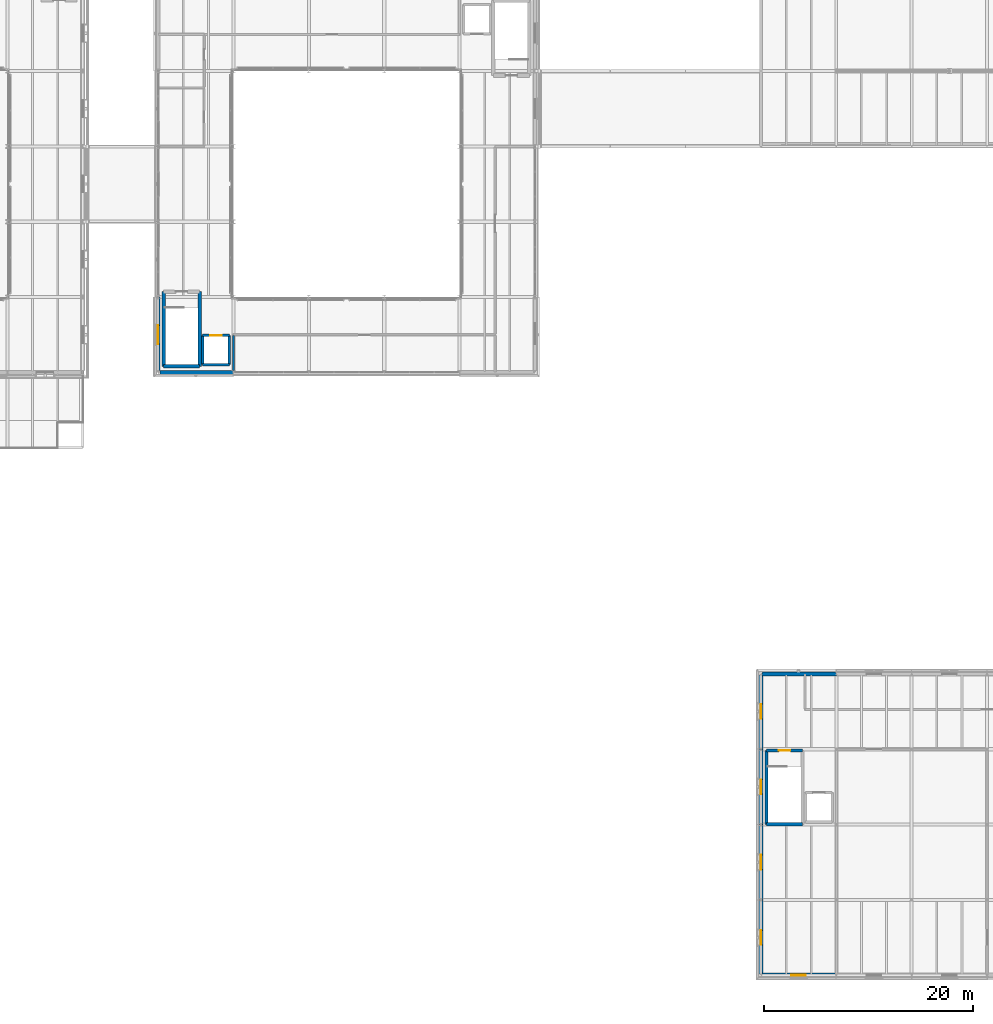
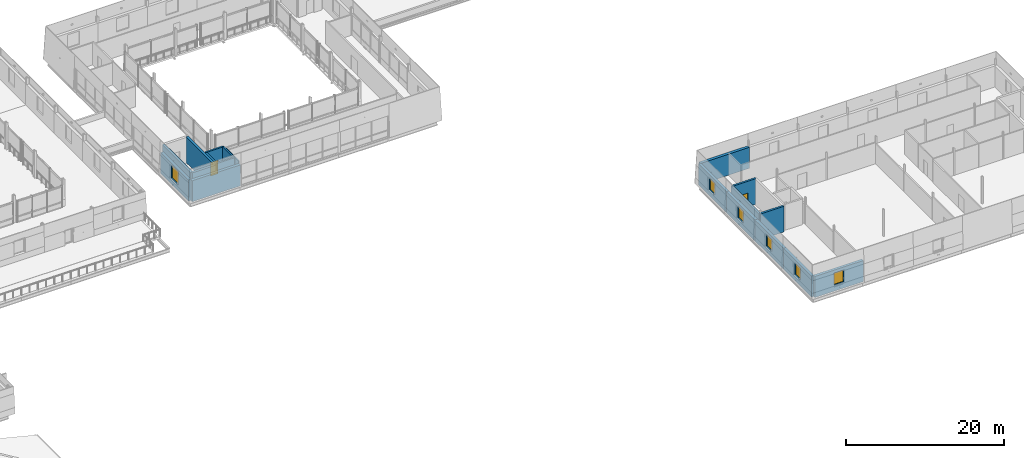
# One storey, part 58 of 91: 19 walls, 6 windows, 2 doors, 8 openings.
"""IFC4 building model written with IfcOpenShell, lengths in metres."""

from ifc_helpers import new_model, si_unit, direction, frame, frame_2d, origin, place, context, subcontext, project, spatial, rectangle, extrude, material, layer, layer_set, type_object, element, fill, save


model = new_model("IFC4")

# Units and contexts
model_context = context("Model", 3, precision=1e-05, world=origin(), true_north=direction((0.0, 1.0)))
body_context = subcontext(model_context, "Body", "Model", "MODEL_VIEW")
ifc_project = project(units=[si_unit("LENGTHUNIT", "METRE"), si_unit("AREAUNIT", "SQUARE_METRE"), si_unit("VOLUMEUNIT", "CUBIC_METRE"), si_unit("PLANEANGLEUNIT", "RADIAN"), si_unit("MASSUNIT", "GRAM", prefix="KILO")], contexts=[model_context])

# Site, building, storey
site_placement = place(None, origin())
site = spatial("IfcSite", under=ifc_project, at=site_placement, CompositionType="ELEMENT")
building_placement = place(site_placement, origin())
building = spatial("IfcBuilding", under=site, at=building_placement, Name="Narikvali Park Central Library", CompositionType="ELEMENT")
storey_placement = place(building_placement, frame((0.0, 0.0, 14.39990234375)))
storey = spatial("IfcBuildingStorey", under=building, at=storey_placement, Name="L03", CompositionType="ELEMENT", Elevation=14.39990234375)

# Walls
ifc_material_1 = material(Name="Concrete C40/50", Category="concrete")
ifc_layer_1 = layer(ifc_material_1, 0.35009765625, Name="Concrete C40/50")
ifc_layer_set_1 = layer_set([ifc_layer_1], Name="Concrete C40/50")
wall_type_1 = type_object("IfcWallType", Name="Reinforced Concrete Core Shear Wall 350", PredefinedType="SHEAR", material=ifc_layer_set_1)
wall_1_placement = place(storey_placement, frame((65.330078125, 58.179931640625, 0.0), z_axis=(0.0, 0.0, 1.0), x_axis=(1.0, 0.0, 0.0)))
element("IfcWall", 1, at=wall_1_placement, inside=storey, type_object=wall_type_1, Name="C1A L03 Stair Core Shear Wall S", PredefinedType="SHEAR", context=body_context, shape_type="SweptSolid", body=[
    extrude(rectangle(XDim=3.43994140625, YDim=0.35009765625, at=frame_2d((1.719970703125, 0.0))), origin(), (0.0, 0.0, 1.0), 3.960205078125),
])
for number, where, z_axis, x_axis, name in (
    (2, (68.77001953125, 58.179931640625, 0.0), (0.0, 0.0, 1.0), (0.0, 1.0, 0.0), "C1A L03 Stair Core Shear Wall E"),
    (3, (65.330078125, 65.320068359375, 0.0), (0.0, 0.0, 1.0), (0.0, -1.0, 0.0), "C1A L03 Stair Core Shear Wall W"),
):
    element("IfcWall", number, at=place(storey_placement, frame(where, z_axis=z_axis, x_axis=x_axis)), inside=storey, type_object=wall_type_1, Name=name, PredefinedType="SHEAR", context=body_context, shape_type="SweptSolid", body=[
        extrude(rectangle(XDim=7.14013671875, YDim=0.35009765625, at=frame_2d((3.570068359375, 0.0))), origin(), (0.0, 0.0, 1.0), 3.960205078125),
    ])
ifc_layer_2 = layer(ifc_material_1, 0.25, Name="Concrete C40/50")
ifc_layer_set_2 = layer_set([ifc_layer_2], Name="Concrete C40/50")
wall_type_2 = type_object("IfcWallType", Name="Reinforced Concrete Lift Shaft Wall 250", PredefinedType="SHEAR", material=ifc_layer_set_2)
wall_2_placement = place(storey_placement, frame((69.050048828125, 58.35009765625, 0.0), z_axis=(0.0, 0.0, 1.0), x_axis=(1.0, 0.0, 0.0)))
element("IfcWall", 4, at=wall_2_placement, inside=storey, type_object=wall_type_2, Name="L-01 L03 Lift Shaft Wall S", PredefinedType="SHEAR", context=body_context, shape_type="SweptSolid", body=[
    extrude(rectangle(XDim=2.550048828125, YDim=0.25, at=frame_2d((1.27490234375, 0.0))), origin(), (0.0, 0.0, 1.0), 3.960205078125),
])
wall_3_placement = place(storey_placement, frame((71.60009765625, 58.35009765625, 0.0), z_axis=(0.0, 0.0, 1.0), x_axis=(0.0, 1.0, 0.0)))
element("IfcWall", 5, at=wall_3_placement, inside=storey, type_object=wall_type_2, Name="L-01 L03 Lift Shaft Wall E", PredefinedType="SHEAR", context=body_context, shape_type="SweptSolid", body=[
    extrude(rectangle(XDim=2.7998046875, YDim=0.25, at=frame_2d((1.39990234375, 0.0))), origin(), (0.0, 0.0, 1.0), 3.960205078125),
])

# Wall, opening, door
wall_4_placement = place(storey_placement, frame((71.60009765625, 61.14990234375, 0.0), z_axis=(0.0, 0.0, 1.0), x_axis=(-1.0, 0.0, 0.0)))
wall_4 = element("IfcWall", 6, at=wall_4_placement, inside=storey, type_object=wall_type_2, Name="L-01 L03 Lift Shaft Wall N", PredefinedType="SHEAR", context=body_context, shape_type="SweptSolid", body=[
    extrude(rectangle(XDim=2.550048828125, YDim=0.25, at=frame_2d((1.27490234375, 0.0))), origin(), (0.0, 0.0, 1.0), 3.960205078125),
])
opening_1_placement = place(wall_4_placement, frame((0.72509765625, 0.0, 0.0)))
opening_1 = element("IfcOpeningElement", 7, at=opening_1_placement, cuts=wall_4, Name="Opening LD-005", PredefinedType="OPENING", context=body_context, shape_type="SweptSolid", body=[
    extrude(rectangle(XDim=1.10009765625, YDim=2.10009765625, at=frame_2d((0.550048828125, 1.050048828125))), frame((0.0, 0.136962890625, 0.0), z_axis=(0.0, -1.0, 0.0), x_axis=(1.0, 0.0, 0.0)), (0.0, 0.0, 1.0), 0.27392578125),
])
ifc_material_2 = material(Name="Brushed Stainless Steel S355", Category="steel")
door_type_1 = type_object("IfcDoorType", Name="Passenger Lift Sliding Landing Door 1100x2100", OperationType="SLIDING_TO_LEFT", PredefinedType="DOOR", material=ifc_material_2)
door_1_placement = place(opening_1_placement, origin())
door_1 = element("IfcDoor", 8, at=door_1_placement, inside=storey, type_object=door_type_1, Name="L-01 L03 Lift Landing Sliding Door LD-005", OperationType="SLIDING_TO_LEFT", OverallHeight=2.10009765625, OverallWidth=1.10009765625, PredefinedType="DOOR", context=body_context, shape_type="SweptSolid", body=[
    extrude(rectangle(XDim=1.10009765625, YDim=2.10009765625, at=frame_2d((0.550048828125, 1.050048828125))), frame((0.0, 0.02490234375, 0.0), z_axis=(0.0, -1.0, 0.0), x_axis=(1.0, 0.0, 0.0)), (0.0, 0.0, 1.0), 0.050048828125),
])
fill(opening_1, door_1)

# Walls
wall_5_placement = place(storey_placement, frame((69.050048828125, 61.14990234375, 0.0), z_axis=(0.0, 0.0, 1.0), x_axis=(0.0, -1.0, 0.0)))
element("IfcWall", 9, at=wall_5_placement, inside=storey, type_object=wall_type_2, Name="L-01 L03 Lift Shaft Wall W", PredefinedType="SHEAR", context=body_context, shape_type="SweptSolid", body=[
    extrude(rectangle(XDim=2.7998046875, YDim=0.25, at=frame_2d((1.39990234375, 0.0))), origin(), (0.0, 0.0, 1.0), 3.960205078125),
])
ifc_layer_3 = layer(ifc_material_1, 0.300048828125, Name="Concrete C40/50")
ifc_layer_set_3 = layer_set([ifc_layer_3], Name="Concrete C40/50")
wall_type_3 = type_object("IfcWallType", Name="Reinforced Concrete Shear Wall 300", PredefinedType="SHEAR", material=ifc_layer_set_3)
wall_6_placement = place(storey_placement, frame((122.929931640625, 14.429931640625, 0.0), z_axis=(0.0, 0.0, 1.0), x_axis=(1.0, 0.0, 0.0)))
element("IfcWall", 10, at=wall_6_placement, inside=storey, type_object=wall_type_3, Name="C6A L03 Stair Core Shear Wall S", PredefinedType="SHEAR", context=body_context, shape_type="SweptSolid", body=[
    extrude(rectangle(XDim=3.440185546875, YDim=0.300048828125, at=frame_2d((1.72021484375, 0.0))), origin(), (0.0, 0.0, 1.0), 3.960205078125),
])

# Wall, opening, door
wall_7_placement = place(storey_placement, frame((126.3701171875, 21.469970703125, 0.0), z_axis=(0.0, 0.0, 1.0), x_axis=(-1.0, 0.0, 0.0)))
wall_7 = element("IfcWall", 11, at=wall_7_placement, inside=storey, type_object=wall_type_3, Name="C6A L03 Stair Core Shear Wall N", PredefinedType="SHEAR", context=body_context, shape_type="SweptSolid", body=[
    extrude(rectangle(XDim=3.440185546875, YDim=0.300048828125, at=frame_2d((1.72021484375, 0.0))), origin(), (0.0, 0.0, 1.0), 3.960205078125),
])
opening_2_placement = place(wall_7_placement, frame((1.169921875, 0.0, 0.0)))
opening_2 = element("IfcOpeningElement", 12, at=opening_2_placement, cuts=wall_7, Name="Opening SD-061", PredefinedType="OPENING", context=body_context, shape_type="SweptSolid", body=[
    extrude(rectangle(XDim=1.10009765625, YDim=2.14990234375, at=frame_2d((0.550048828125, 1.074951171875))), frame((0.0, 0.162109375, 0.0), z_axis=(0.0, -1.0, 0.0), x_axis=(1.0, 0.0, 0.0)), (0.0, 0.0, 1.0), 0.323974609375),
])
ifc_material_3 = material(Name="Powder-Coated Steel S275 Fire Leaf", Category="steel")
door_type_2 = type_object("IfcDoorType", Name="Stair Core Smoke-Control Fire Door 1100x2150", OperationType="SINGLE_SWING_LEFT", PredefinedType="DOOR", material=ifc_material_3)
door_2_placement = place(opening_2_placement, frame((1.10009765625, 0.0, 0.0), z_axis=(0.0, 0.0, 1.0), x_axis=(-1.0, 0.0, 0.0)))
door_2 = element("IfcDoor", 13, at=door_2_placement, inside=storey, type_object=door_type_2, Name="ST-11 L03 Stair Exit Door SD-061", OperationType="SINGLE_SWING_LEFT", OverallHeight=2.14990234375, OverallWidth=1.10009765625, PredefinedType="DOOR", context=body_context, shape_type="SweptSolid", body=[
    extrude(rectangle(XDim=1.10009765625, YDim=2.14990234375, at=frame_2d((0.550048828125, 1.074951171875))), frame((0.0, 0.02490234375, 0.0), z_axis=(0.0, -1.0, 0.0), x_axis=(1.0, 0.0, 0.0)), (0.0, 0.0, 1.0), 0.050048828125),
])
fill(opening_2, door_2)

# Walls
wall_8_placement = place(storey_placement, frame((122.929931640625, 21.469970703125, 0.0), z_axis=(0.0, 0.0, 1.0), x_axis=(0.0, -1.0, 0.0)))
element("IfcWall", 14, at=wall_8_placement, inside=storey, type_object=wall_type_3, Name="C6A L03 Stair Core Shear Wall W", PredefinedType="SHEAR", context=body_context, shape_type="SweptSolid", body=[
    extrude(rectangle(XDim=7.0400390625, YDim=0.300048828125, at=frame_2d((3.52001953125, 0.0))), origin(), (0.0, 0.0, 1.0), 3.960205078125),
])
ifc_material_4 = material(Name="Gypsum Board on Galvanised Steel Studs", Category="steel")
ifc_layer_4 = layer(ifc_material_4, 0.159912109375, Name="Gypsum Board on Galvanised Steel Studs")
ifc_layer_set_4 = layer_set([ifc_layer_4], Name="Gypsum Board on Galvanised Steel Studs")
wall_type_4 = type_object("IfcWallType", Name="Study Room Partition Wall 160", PredefinedType="PARTITIONING", material=ifc_layer_set_4)
wall_9_placement = place(storey_placement, frame((72.0, 57.783935546875, 0.0), z_axis=(0.0, 0.0, 1.0), x_axis=(0.0, 1.0, 0.0)))
element("IfcWall", 15, at=wall_9_placement, inside=storey, type_object=wall_type_4, Name="Drum Clerestory South Scholar Carrels Partition W", PredefinedType="PARTITIONING", context=body_context, shape_type="SweptSolid", body=[
    extrude(rectangle(XDim=3.333984375, YDim=0.159912109375, at=frame_2d((1.6669921875, 0.0))), origin(), (0.0, 0.0, 1.0), 3.59521484375),
])
ifc_material_5 = material(Name="White Honed Limestone over Concrete C35/45", Category="masonry")
ifc_layer_5 = layer(ifc_material_5, 0.39990234375, Name="White Honed Limestone over Concrete C35/45")
ifc_layer_set_5 = layer_set([ifc_layer_5], Name="White Honed Limestone over Concrete C35/45")
wall_type_5 = type_object("IfcWallType", Name="White Limestone Battered Tier3 Wall 400", PredefinedType="SOLIDWALL", material=ifc_layer_set_5)
wall_10_placement = place(storey_placement, frame((64.9541015625, 57.60009765625, 0.0), z_axis=(0.0, 0.0, 1.0), x_axis=(1.0, 0.0, 0.0)))
element("IfcWall", 16, at=wall_10_placement, inside=storey, type_object=wall_type_5, Name="V1 L03 S Exterior Limestone Wall B01", PredefinedType="SOLIDWALL", context=body_context, shape_type="SweptSolid", body=[
    extrude(rectangle(XDim=7.0458984375, YDim=0.39990234375, at=frame_2d((3.52294921875, 0.0))), origin(), (0.0, 0.0, 1.0), 3.239990234375),
])

# Wall, opening, window
wall_11_placement = place(storey_placement, frame((64.800048828125, 64.800048828125, 0.0), z_axis=(0.0, 0.0, 1.0), x_axis=(0.0, -1.0, 0.0)))
wall_11 = element("IfcWall", 17, at=wall_11_placement, inside=storey, type_object=wall_type_5, Name="V1 L03 W Exterior Limestone Wall B05", PredefinedType="SOLIDWALL", context=body_context, shape_type="SweptSolid", body=[
    extrude(rectangle(XDim=7.01611328125, YDim=0.39990234375, at=frame_2d((3.508056640625, 0.0))), origin(), (0.0, 0.0, 1.0), 3.239990234375),
])
opening_3_placement = place(wall_11_placement, frame((2.699951171875, 0.0, 0.949951171875)))
opening_3 = element("IfcOpeningElement", 18, at=opening_3_placement, cuts=wall_11, Name="Opening WIN-0043", PredefinedType="OPENING", context=body_context, shape_type="SweptSolid", body=[
    extrude(rectangle(XDim=1.800048828125, YDim=2.050048828125, at=frame_2d((0.89990234375, 1.02490234375))), frame((0.0, 0.2119140625, 0.0), z_axis=(0.0, -1.0, 0.0), x_axis=(1.0, 0.0, 0.0)), (0.0, 0.0, 1.0), 0.423828125),
])
ifc_material_6 = material(Name="Anodised Bronze Aluminium and Low-E Triple Glazing", Category="aluminium")
window_type_1 = type_object("IfcWindowType", Name="Rotunda Mezzanine Deep-Set Window 1800x2050", PartitioningType="DOUBLE_PANEL_VERTICAL", PredefinedType="WINDOW", material=ifc_material_6)
window_1_placement = place(opening_3_placement, origin())
window_1 = element("IfcWindow", 19, at=window_1_placement, inside=storey, type_object=window_type_1, Name="V1 L03 W Deep-Reveal Window WIN-0043", OverallHeight=2.050048828125, OverallWidth=1.800048828125, PartitioningType="SINGLE_PANEL", PredefinedType="WINDOW", context=body_context, shape_type="SweptSolid", body=[
    extrude(rectangle(XDim=1.800048828125, YDim=2.050048828125, at=frame_2d((0.89990234375, 1.02490234375))), frame((0.0, 0.030029296875, 0.0), z_axis=(0.0, -1.0, 0.0), x_axis=(1.0, 0.0, 0.0)), (0.0, 0.0, 1.0), 0.06005859375),
])
fill(opening_3, window_1)

wall_12_placement = place(storey_placement, frame((122.50390625, 0.0, 0.0), z_axis=(0.0, 0.0, 1.0), x_axis=(1.0, 0.0, 0.0)))
wall_12 = element("IfcWall", 20, at=wall_12_placement, inside=storey, type_object=wall_type_5, Name="V6 L03 S Exterior Limestone Wall B01", PredefinedType="SOLIDWALL", context=body_context, shape_type="SweptSolid", body=[
    extrude(rectangle(XDim=7.09619140625, YDim=0.39990234375, at=frame_2d((3.548095703125, 0.0))), origin(), (0.0, 0.0, 1.0), 3.239990234375),
])
opening_4_placement = place(wall_12_placement, frame((2.7958984375, 0.0, 0.949951171875)))
opening_4 = element("IfcOpeningElement", 21, at=opening_4_placement, cuts=wall_12, Name="Opening WIN-0400", PredefinedType="OPENING", context=body_context, shape_type="SweptSolid", body=[
    extrude(rectangle(XDim=1.39990234375, YDim=1.85009765625, at=frame_2d((0.699951171875, 0.925048828125))), frame((0.0, 0.2119140625, 0.0), z_axis=(0.0, -1.0, 0.0), x_axis=(1.0, 0.0, 0.0)), (0.0, 0.0, 1.0), 0.423828125),
])
window_type_2 = type_object("IfcWindowType", Name="Service & Administration Casement Window 1400x1850", PartitioningType="DOUBLE_PANEL_VERTICAL", PredefinedType="WINDOW", material=ifc_material_6)
window_2_placement = place(opening_4_placement, origin())
window_2 = element("IfcWindow", 22, at=window_2_placement, inside=storey, type_object=window_type_2, Name="V6 L03 S Deep-Reveal Window WIN-0400", OverallHeight=1.85009765625, OverallWidth=1.39990234375, PartitioningType="SINGLE_PANEL", PredefinedType="WINDOW", context=body_context, shape_type="SweptSolid", body=[
    extrude(rectangle(XDim=1.39990234375, YDim=1.85009765625, at=frame_2d((0.699951171875, 0.925048828125))), frame((0.0, 0.030029296875, 0.0), z_axis=(0.0, -1.0, 0.0), x_axis=(1.0, 0.0, 0.0)), (0.0, 0.0, 1.0), 0.06005859375),
])
fill(opening_4, window_2)

# Wall
wall_13_placement = place(storey_placement, frame((129.60009765625, 28.800048828125, 0.0), z_axis=(0.0, 0.0, 1.0), x_axis=(-1.0, 0.0, 0.0)))
element("IfcWall", 23, at=wall_13_placement, inside=storey, type_object=wall_type_5, Name="V6 L03 N Exterior Limestone Wall B06", PredefinedType="SOLIDWALL", context=body_context, shape_type="SweptSolid", body=[
    extrude(rectangle(XDim=7.09619140625, YDim=0.39990234375, at=frame_2d((3.548095703125, 0.0))), origin(), (0.0, 0.0, 1.0), 3.239990234375),
])

# Wall, opening, window
wall_14_placement = place(storey_placement, frame((122.39990234375, 28.696044921875, 0.0), z_axis=(0.0, 0.0, 1.0), x_axis=(0.0, -1.0, 0.0)))
wall_14 = element("IfcWall", 24, at=wall_14_placement, inside=storey, type_object=wall_type_5, Name="V6 L03 W Exterior Limestone Wall B01", PredefinedType="SOLIDWALL", context=body_context, shape_type="SweptSolid", body=[
    extrude(rectangle(XDim=7.095947265625, YDim=0.39990234375, at=frame_2d((3.5478515625, 0.0))), origin(), (0.0, 0.0, 1.0), 3.239990234375),
])
opening_5_placement = place(wall_14_placement, frame((2.7958984375, 0.0, 0.949951171875)))
opening_5 = element("IfcOpeningElement", 25, at=opening_5_placement, cuts=wall_14, Name="Opening WIN-0411", PredefinedType="OPENING", context=body_context, shape_type="SweptSolid", body=[
    extrude(rectangle(XDim=1.39990234375, YDim=1.85009765625, at=frame_2d((0.699951171875, 0.925048828125))), frame((0.0, 0.2119140625, 0.0), z_axis=(0.0, -1.0, 0.0), x_axis=(1.0, 0.0, 0.0)), (0.0, 0.0, 1.0), 0.423828125),
])
window_3_placement = place(opening_5_placement, origin())
window_3 = element("IfcWindow", 26, at=window_3_placement, inside=storey, type_object=window_type_2, Name="V6 L03 W Deep-Reveal Window WIN-0411", OverallHeight=1.85009765625, OverallWidth=1.39990234375, PartitioningType="SINGLE_PANEL", PredefinedType="WINDOW", context=body_context, shape_type="SweptSolid", body=[
    extrude(rectangle(XDim=1.39990234375, YDim=1.85009765625, at=frame_2d((0.699951171875, 0.925048828125))), frame((0.0, 0.030029296875, 0.0), z_axis=(0.0, -1.0, 0.0), x_axis=(1.0, 0.0, 0.0)), (0.0, 0.0, 1.0), 0.06005859375),
])
fill(opening_5, window_3)

wall_15_placement = place(storey_placement, frame((122.39990234375, 21.60009765625, 0.0), z_axis=(0.0, 0.0, 1.0), x_axis=(0.0, -1.0, 0.0)))
wall_15 = element("IfcWall", 27, at=wall_15_placement, inside=storey, type_object=wall_type_5, Name="V6 L03 W Exterior Limestone Wall B02", PredefinedType="SOLIDWALL", context=body_context, shape_type="SweptSolid", body=[
    extrude(rectangle(XDim=7.2001953125, YDim=0.39990234375, at=frame_2d((3.60009765625, 0.0))), origin(), (0.0, 0.0, 1.0), 3.239990234375),
])
opening_6_placement = place(wall_15_placement, frame((2.89990234375, 0.0, 0.949951171875)))
opening_6 = element("IfcOpeningElement", 28, at=opening_6_placement, cuts=wall_15, Name="Opening WIN-0412", PredefinedType="OPENING", context=body_context, shape_type="SweptSolid", body=[
    extrude(rectangle(XDim=1.39990234375, YDim=1.85009765625, at=frame_2d((0.699951171875, 0.925048828125))), frame((0.0, 0.2119140625, 0.0), z_axis=(0.0, -1.0, 0.0), x_axis=(1.0, 0.0, 0.0)), (0.0, 0.0, 1.0), 0.423828125),
])
window_4_placement = place(opening_6_placement, origin())
window_4 = element("IfcWindow", 29, at=window_4_placement, inside=storey, type_object=window_type_2, Name="V6 L03 W Deep-Reveal Window WIN-0412", OverallHeight=1.85009765625, OverallWidth=1.39990234375, PartitioningType="SINGLE_PANEL", PredefinedType="WINDOW", context=body_context, shape_type="SweptSolid", body=[
    extrude(rectangle(XDim=1.39990234375, YDim=1.85009765625, at=frame_2d((0.699951171875, 0.925048828125))), frame((0.0, 0.030029296875, 0.0), z_axis=(0.0, -1.0, 0.0), x_axis=(1.0, 0.0, 0.0)), (0.0, 0.0, 1.0), 0.06005859375),
])
fill(opening_6, window_4)

wall_16_placement = place(storey_placement, frame((122.39990234375, 14.39990234375, 0.0), z_axis=(0.0, 0.0, 1.0), x_axis=(0.0, -1.0, 0.0)))
wall_16 = element("IfcWall", 30, at=wall_16_placement, inside=storey, type_object=wall_type_5, Name="V6 L03 W Exterior Limestone Wall B03", PredefinedType="SOLIDWALL", context=body_context, shape_type="SweptSolid", body=[
    extrude(rectangle(XDim=7.199951171875, YDim=0.39990234375, at=frame_2d((3.60009765625, 0.0))), origin(), (0.0, 0.0, 1.0), 3.239990234375),
])
opening_7_placement = place(wall_16_placement, frame((2.89990234375, 0.0, 0.949951171875)))
opening_7 = element("IfcOpeningElement", 31, at=opening_7_placement, cuts=wall_16, Name="Opening WIN-0413", PredefinedType="OPENING", context=body_context, shape_type="SweptSolid", body=[
    extrude(rectangle(XDim=1.39990234375, YDim=1.85009765625, at=frame_2d((0.699951171875, 0.925048828125))), frame((0.0, 0.2119140625, 0.0), z_axis=(0.0, -1.0, 0.0), x_axis=(1.0, 0.0, 0.0)), (0.0, 0.0, 1.0), 0.423828125),
])
window_5_placement = place(opening_7_placement, origin())
window_5 = element("IfcWindow", 32, at=window_5_placement, inside=storey, type_object=window_type_2, Name="V6 L03 W Deep-Reveal Window WIN-0413", OverallHeight=1.85009765625, OverallWidth=1.39990234375, PartitioningType="SINGLE_PANEL", PredefinedType="WINDOW", context=body_context, shape_type="SweptSolid", body=[
    extrude(rectangle(XDim=1.39990234375, YDim=1.85009765625, at=frame_2d((0.699951171875, 0.925048828125))), frame((0.0, 0.030029296875, 0.0), z_axis=(0.0, -1.0, 0.0), x_axis=(1.0, 0.0, 0.0)), (0.0, 0.0, 1.0), 0.06005859375),
])
fill(opening_7, window_5)

wall_17_placement = place(storey_placement, frame((122.39990234375, 7.199951171875, 0.0), z_axis=(0.0, 0.0, 1.0), x_axis=(0.0, -1.0, 0.0)))
wall_17 = element("IfcWall", 33, at=wall_17_placement, inside=storey, type_object=wall_type_5, Name="V6 L03 W Exterior Limestone Wall B04", PredefinedType="SOLIDWALL", context=body_context, shape_type="SweptSolid", body=[
    extrude(rectangle(XDim=7.095947265625, YDim=0.39990234375, at=frame_2d((3.5478515625, 0.0))), origin(), (0.0, 0.0, 1.0), 3.239990234375),
])
opening_8_placement = place(wall_17_placement, frame((2.89990234375, 0.0, 0.949951171875)))
opening_8 = element("IfcOpeningElement", 34, at=opening_8_placement, cuts=wall_17, Name="Opening WIN-0414", PredefinedType="OPENING", context=body_context, shape_type="SweptSolid", body=[
    extrude(rectangle(XDim=1.39990234375, YDim=1.85009765625, at=frame_2d((0.699951171875, 0.925048828125))), frame((0.0, 0.2119140625, 0.0), z_axis=(0.0, -1.0, 0.0), x_axis=(1.0, 0.0, 0.0)), (0.0, 0.0, 1.0), 0.423828125),
])
window_6_placement = place(opening_8_placement, origin())
window_6 = element("IfcWindow", 35, at=window_6_placement, inside=storey, type_object=window_type_2, Name="V6 L03 W Deep-Reveal Window WIN-0414", OverallHeight=1.85009765625, OverallWidth=1.39990234375, PartitioningType="SINGLE_PANEL", PredefinedType="WINDOW", context=body_context, shape_type="SweptSolid", body=[
    extrude(rectangle(XDim=1.39990234375, YDim=1.85009765625, at=frame_2d((0.699951171875, 0.925048828125))), frame((0.0, 0.030029296875, 0.0), z_axis=(0.0, -1.0, 0.0), x_axis=(1.0, 0.0, 0.0)), (0.0, 0.0, 1.0), 0.06005859375),
])
fill(opening_8, window_6)

save(model, "model.ifc")
